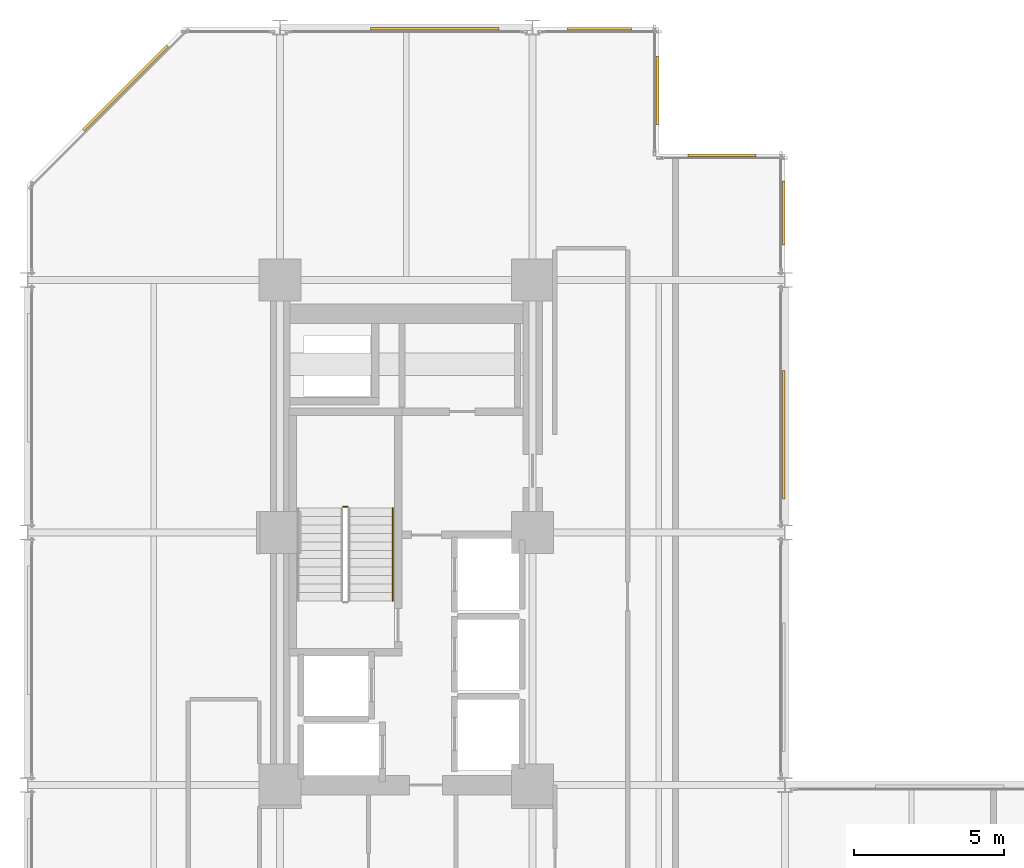
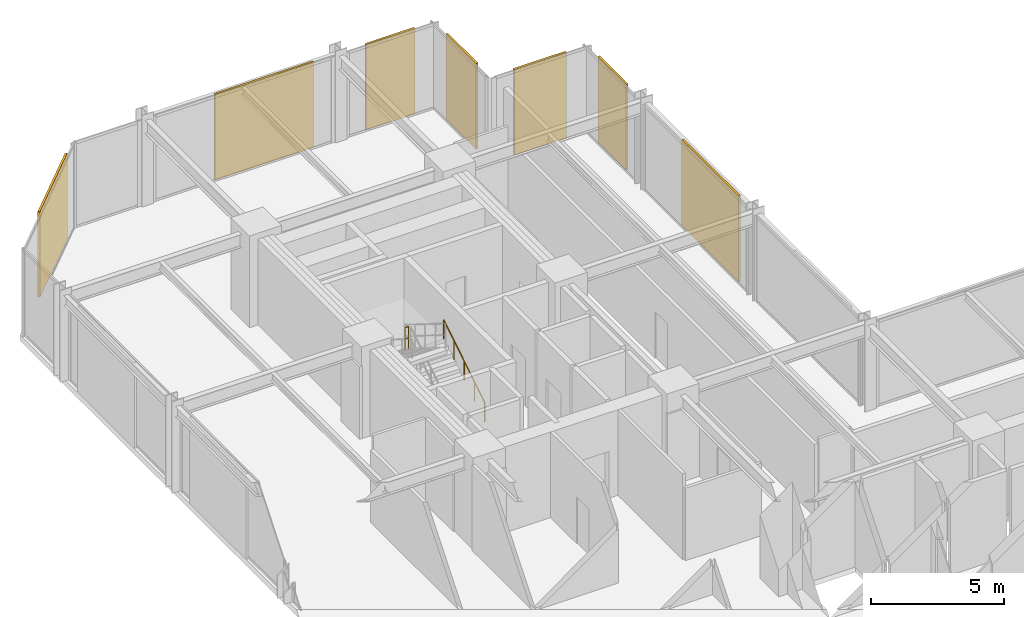
# One storey, part 26 of 26: 7 coverings, 2 railings.
"""IFC4 building model written with IfcOpenShell, lengths in metres."""

from ifc_helpers import new_model, si_unit, direction, frame, origin, origin_2d, place, context, subcontext, project, spatial, rectangle, circle, extrude, material, layer, layer_set, type_object, element, save


model = new_model("IFC4")

# Units and contexts
model_context = context("Model", 3, precision=1e-05, world=origin(), true_north=direction((0.0, 1.0)))
body_context = subcontext(model_context, "Body", "Model", "MODEL_VIEW")
ifc_project = project(units=[si_unit("LENGTHUNIT", "METRE"), si_unit("AREAUNIT", "SQUARE_METRE"), si_unit("VOLUMEUNIT", "CUBIC_METRE"), si_unit("PLANEANGLEUNIT", "RADIAN"), si_unit("MASSUNIT", "GRAM", prefix="KILO")], contexts=[model_context])

# Site, building, storey
site_placement = place(None, origin())
site = spatial("IfcSite", under=ifc_project, at=site_placement, CompositionType="ELEMENT")
building_placement = place(site_placement, origin())
building = spatial("IfcBuilding", under=site, at=building_placement, Name="Nerrivon Quay Data Exchange", CompositionType="ELEMENT")
storey_placement = place(building_placement, frame((0.0, 0.0, 71.0)))
storey = spatial("IfcBuildingStorey", under=building, at=storey_placement, Name="L16", CompositionType="ELEMENT", Elevation=71.0)

# Coverings
ifc_material_1 = material(Name="Architectural terracotta ceramic", Category="masonry")
ifc_layer = layer(ifc_material_1, 0.090087890625)
ifc_layer_set = layer_set([ifc_layer], Name="Architectural terracotta ceramic")
covering_type = type_object("IfcCoveringType", Name="COV-SCR-TERR", PredefinedType="CLADDING", material=ifc_layer_set)
covering_1_placement = place(storey_placement, frame((3.255859375, 48.39208984375, 0.0), z_axis=(0.0, 0.0, 1.0), x_axis=(0.707106781187, 0.707106781187, 0.0)))
element("IfcCovering", 1, at=covering_1_placement, inside=storey, type_object=covering_type, Name="L16 Perforated Terracotta SOLAR SCREEN Cassette", PredefinedType="CLADDING", context=body_context, shape_type="SweptSolid", body=[
    extrude(rectangle(XDim=3.970947265625, YDim=0.090087890625, at=origin_2d()), origin(), (0.0, 0.0, 1.0), 3.925048828125),
])
covering_2_placement = place(storey_placement, frame((13.548095703125, 50.35498046875, 0.0), z_axis=(0.0, 0.0, 1.0), x_axis=(1.0, 0.0, 0.0)))
element("IfcCovering", 2, at=covering_2_placement, inside=storey, type_object=covering_type, Name="L16 Perforated Terracotta SOLAR SCREEN Cassette", PredefinedType="CLADDING", context=body_context, shape_type="SweptSolid", body=[
    extrude(rectangle(XDim=4.26611328125, YDim=0.090087890625, at=origin_2d()), origin(), (0.0, 0.0, 1.0), 3.925048828125),
])
covering_3_placement = place(storey_placement, frame((19.02490234375, 50.35498046875, 0.0), z_axis=(0.0, 0.0, 1.0), x_axis=(1.0, 0.0, 0.0)))
element("IfcCovering", 3, at=covering_3_placement, inside=storey, type_object=covering_type, Name="L16 Perforated Terracotta SOLAR SCREEN Cassette", PredefinedType="CLADDING", context=body_context, shape_type="SweptSolid", body=[
    extrude(rectangle(XDim=2.133056640625, YDim=0.090087890625, at=origin_2d()), origin(), (0.0, 0.0, 1.0), 3.925048828125),
])
for number, where, z_axis, x_axis, name in (
    (4, (20.955078125, 48.300048828125, 0.0), (0.0, 0.0, 1.0), (0.0, -1.0, 0.0), "L16 Perforated Terracotta SOLAR SCREEN Cassette"),
    (5, (23.10009765625, 46.155029296875, 0.0), (0.0, 0.0, 1.0), (1.0, 0.0, 0.0), "L16 Perforated Terracotta SOLAR SCREEN Cassette"),
):
    element("IfcCovering", number, at=place(storey_placement, frame(where, z_axis=z_axis, x_axis=x_axis)), inside=storey, type_object=covering_type, Name=name, PredefinedType="CLADDING", context=body_context, shape_type="SweptSolid", body=[
        extrude(rectangle(XDim=2.26806640625, YDim=0.090087890625, at=origin_2d()), origin(), (0.0, 0.0, 1.0), 3.925048828125),
    ])
covering_4_placement = place(storey_placement, frame((25.155029296875, 44.22509765625, 0.0), z_axis=(0.0, 0.0, 1.0), x_axis=(0.0, -1.0, 0.0)))
element("IfcCovering", 6, at=covering_4_placement, inside=storey, type_object=covering_type, Name="L16 Perforated Terracotta SOLAR SCREEN Cassette", PredefinedType="CLADDING", context=body_context, shape_type="SweptSolid", body=[
    extrude(rectangle(XDim=2.133056640625, YDim=0.090087890625, at=origin_2d()), origin(), (0.0, 0.0, 1.0), 3.925048828125),
])
covering_5_placement = place(storey_placement, frame((25.155029296875, 36.85205078125, 0.0), z_axis=(0.0, 0.0, 1.0), x_axis=(0.0, -1.0, 0.0)))
element("IfcCovering", 7, at=covering_5_placement, inside=storey, type_object=covering_type, Name="L16 Perforated Terracotta SOLAR SCREEN Cassette", PredefinedType="CLADDING", context=body_context, shape_type="SweptSolid", body=[
    extrude(rectangle(XDim=4.26611328125, YDim=0.090087890625, at=origin_2d()), origin(), (0.0, 0.0, 1.0), 3.925048828125),
])

# Railings
ifc_material_2 = material(Name="Steel Grade C350L0 (350 MPa)", Category="steel")
railing_type_1 = type_object("IfcRailingType", Name="RAIL-HAND-HR1", PredefinedType="HANDRAIL", material=ifc_material_2)
railing_1_placement = place(storey_placement, frame((12.14990234375, 31.330078125, 0.175048828125)))
element("IfcRailing", 8, at=railing_1_placement, inside=storey, type_object=railing_type_1, Name="L16 ST01 stair handrail 1", PredefinedType="HANDRAIL", context=body_context, shape_type="SweptSolid", body=[
    extrude(circle(Radius=0.02392578125, at=origin_2d()), frame((0.0, 0.0, 0.8759765625), z_axis=(0.0, 0.847979421464, 0.530029150871), x_axis=(-1.0, 0.0, 0.0)), (0.0, 0.0, 1.0), 3.632080078125),
    extrude(circle(Radius=0.02099609375, at=origin_2d()), origin(), (0.0, 0.0, 1.0), 0.851806640625),
    extrude(circle(Radius=0.02099609375, at=origin_2d()), frame((0.0, 0.77001953125, 0.481201171875)), (0.0, 0.0, 1.0), 0.851806640625),
    extrude(circle(Radius=0.02099609375, at=origin_2d()), frame((0.0, 1.5400390625, 0.96240234375)), (0.0, 0.0, 1.0), 0.851806640625),
    extrude(circle(Radius=0.02099609375, at=origin_2d()), frame((0.0, 2.309814453125, 1.44384765625)), (0.0, 0.0, 1.0), 0.851806640625),
    extrude(circle(Radius=0.02099609375, at=origin_2d()), frame((0.0, 3.079833984375, 1.925048828125)), (0.0, 0.0, 1.0), 0.851806640625),
])
railing_type_2 = type_object("IfcRailingType", Name="RAIL-STAIR-GR1", PredefinedType="BALUSTRADE", material=ifc_material_2)
railing_2_placement = place(storey_placement, frame((10.64990234375, 34.4599609375, 2.10009765625)))
element("IfcRailing", 9, at=railing_2_placement, inside=storey, type_object=railing_type_2, Name="L16 ST01 stair guard 2", PredefinedType="BALUSTRADE", context=body_context, shape_type="SweptSolid", body=[
    extrude(circle(Radius=0.02392578125, at=origin_2d()), frame((0.0, 0.0, 1.076171875), z_axis=(-1.0, 0.0, 0.0), x_axis=(0.0, -1.0, 0.0)), (0.0, 0.0, 1.0), 0.14990234375),
    extrude(circle(Radius=0.02392578125, at=origin_2d()), frame((0.0, 0.0, 0.550048828125), z_axis=(-1.0, 0.0, 0.0), x_axis=(0.0, -1.0, 0.0)), (0.0, 0.0, 1.0), 0.14990234375),
    extrude(circle(Radius=0.02099609375, at=origin_2d()), origin(), (0.0, 0.0, 1.0), 1.052001953125),
    extrude(circle(Radius=0.02099609375, at=origin_2d()), frame((-0.14990234375, 0.0, 0.0)), (0.0, 0.0, 1.0), 1.052001953125),
])

save(model, "model.ifc")
